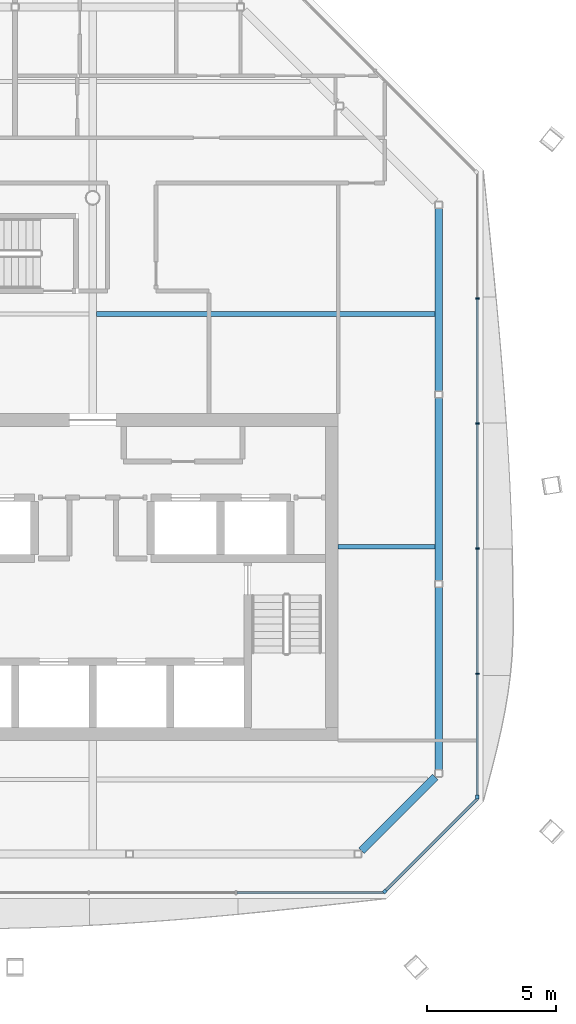
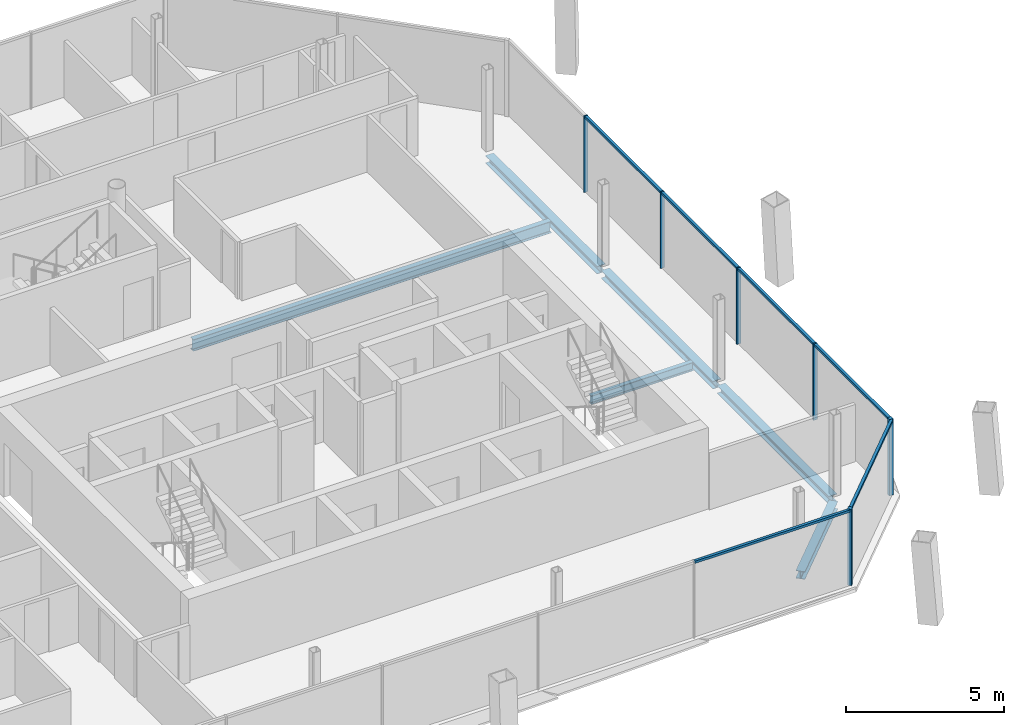
# One storey, part 6 of 15: 12 members, 6 beams, 3 elements without a shape of their own.
"""IFC4 building model written with IfcOpenShell, lengths in metres."""

from ifc_helpers import new_model, si_unit, direction, frame, origin, origin_2d, place, context, subcontext, project, spatial, rectangle, i_section, extrude, material, material_profile, profile_set, type_object, element, aggregate, save


model = new_model("IFC4")

# Units and contexts
model_context = context("Model", 3, precision=1e-05, world=origin(), true_north=direction((0.0, 1.0)))
body_context = subcontext(model_context, "Body", "Model", "MODEL_VIEW")
ifc_project = project(units=[si_unit("LENGTHUNIT", "METRE"), si_unit("AREAUNIT", "SQUARE_METRE"), si_unit("VOLUMEUNIT", "CUBIC_METRE"), si_unit("PLANEANGLEUNIT", "RADIAN"), si_unit("MASSUNIT", "GRAM", prefix="KILO")], contexts=[model_context])

# Site, building, storey
site_placement = place(None, origin())
site = spatial("IfcSite", under=ifc_project, at=site_placement, CompositionType="ELEMENT")
building_placement = place(site_placement, origin())
building = spatial("IfcBuilding", under=site, at=building_placement, Name="Tskaro Facet Tower", CompositionType="ELEMENT")
storey_placement = place(building_placement, frame((0.0, 0.0, 239.25)))
storey = spatial("IfcBuildingStorey", under=building, at=storey_placement, Name="L62", CompositionType="ELEMENT", Elevation=239.25)

# Curtain wall, member
ifc_material_1 = material(Name="Bronze anodised aluminium 6063-T6", Category="aluminium")
curtain_wall_type = type_object("IfcCurtainWallType", Name="Bronze residence curtain wall (FW3)", PredefinedType="NOTDEFINED", material=ifc_material_1)
curtain_wall_1_placement = place(storey_placement, origin())
curtain_wall_1 = element("IfcCurtainWall", 1, at=curtain_wall_1_placement, inside=storey, type_object=curtain_wall_type, Name="FW3 south-east facet L62", PredefinedType="NOTDEFINED")
ifc_material_profile_1 = material_profile(ifc_material_1, rectangle(XDim=0.139892578125, YDim=0.139892578125, at=origin_2d()), Name="Corner post 140x140")
ifc_profile_set_1 = profile_set([ifc_material_profile_1], Name="Bronze anodised aluminium 6063-T6")
member_type_1 = type_object("IfcMemberType", Name="FW3 bronze corner post 140x140", PredefinedType="MULLION", material=ifc_profile_set_1)
member_1_placement = place(storey_placement, frame((11.302490234375, -17.839599609375, 0.0), z_axis=(0.0, 0.0, 1.0), x_axis=(0.707106781187, 0.707106781187, 0.0)))
member_1 = element("IfcMember", 2, at=member_1_placement, type_object=member_type_1, Name="FW3 south-east corner post", PredefinedType="MULLION", context=body_context, shape_type="SweptSolid", body=[
    extrude(rectangle(XDim=0.139892578125, YDim=0.139892578125, at=origin_2d()), origin(), (0.0, 0.0, 1.0), 2.949951171875),
])

# Curtain wall, members
curtain_wall_2_placement = place(storey_placement, origin())
curtain_wall_2 = element("IfcCurtainWall", 3, at=curtain_wall_2_placement, inside=storey, type_object=curtain_wall_type, Name="FW3 east facet L62", PredefinedType="NOTDEFINED")
member_2_placement = place(storey_placement, frame((14.888916015625, -14.18310546875, 0.0), z_axis=(0.0, 0.0, 1.0), x_axis=(0.0, 1.0, 0.0)))
member_2 = element("IfcMember", 4, at=member_2_placement, type_object=member_type_1, Name="FW3 east corner post", PredefinedType="MULLION", context=body_context, shape_type="SweptSolid", body=[
    extrude(rectangle(XDim=0.139892578125, YDim=0.139892578125, at=origin_2d()), origin(), (0.0, 0.0, 1.0), 2.949951171875),
])
ifc_material_profile_2 = material_profile(ifc_material_1, rectangle(XDim=0.050048828125, YDim=0.139892578125, at=origin_2d()), Name="Mullion 50x140")
ifc_profile_set_2 = profile_set([ifc_material_profile_2], Name="Bronze anodised aluminium 6063-T6")
member_type_2 = type_object("IfcMemberType", Name="FW3 bronze mullion 50x140", PredefinedType="MULLION", material=ifc_profile_set_2)
member_3_placement = place(storey_placement, frame((14.888916015625, -9.412841796875, 0.0), z_axis=(0.0, 0.0, 1.0), x_axis=(0.0, 1.0, 0.0)))
member_3 = element("IfcMember", 5, at=member_3_placement, type_object=member_type_2, Name="FW3 east mullion 1", PredefinedType="MULLION", context=body_context, shape_type="SweptSolid", body=[
    extrude(rectangle(XDim=0.050048828125, YDim=0.139892578125, at=origin_2d()), origin(), (0.0, 0.0, 1.0), 2.949951171875),
])
member_4_placement = place(storey_placement, frame((14.888916015625, -4.572509765625, 0.0), z_axis=(0.0, 0.0, 1.0), x_axis=(0.0, 1.0, 0.0)))
member_4 = element("IfcMember", 6, at=member_4_placement, type_object=member_type_2, Name="FW3 east mullion 2", PredefinedType="MULLION", context=body_context, shape_type="SweptSolid", body=[
    extrude(rectangle(XDim=0.050048828125, YDim=0.139892578125, at=origin_2d()), origin(), (0.0, 0.0, 1.0), 2.949951171875),
])
member_5_placement = place(storey_placement, frame((14.888916015625, 0.267578125, 0.0), z_axis=(0.0, 0.0, 1.0), x_axis=(0.0, 1.0, 0.0)))
member_5 = element("IfcMember", 7, at=member_5_placement, type_object=member_type_2, Name="FW3 east mullion 3", PredefinedType="MULLION", context=body_context, shape_type="SweptSolid", body=[
    extrude(rectangle(XDim=0.050048828125, YDim=0.139892578125, at=origin_2d()), origin(), (0.0, 0.0, 1.0), 2.949951171875),
])
member_6_placement = place(storey_placement, frame((14.888916015625, 5.10791015625, 0.0), z_axis=(0.0, 0.0, 1.0), x_axis=(0.0, 1.0, 0.0)))
member_6 = element("IfcMember", 8, at=member_6_placement, type_object=member_type_2, Name="FW3 east mullion 4", PredefinedType="MULLION", context=body_context, shape_type="SweptSolid", body=[
    extrude(rectangle(XDim=0.050048828125, YDim=0.139892578125, at=origin_2d()), origin(), (0.0, 0.0, 1.0), 2.949951171875),
])

# Curtain wall, member
curtain_wall_3_placement = place(storey_placement, origin())
curtain_wall_3 = element("IfcCurtainWall", 9, at=curtain_wall_3_placement, inside=storey, type_object=curtain_wall_type, Name="FW3 south facet L62", PredefinedType="NOTDEFINED")
ifc_material_profile_3 = material_profile(ifc_material_1, rectangle(XDim=0.10009765625, YDim=0.090087890625, at=origin_2d()), Name="Transom 100x90")
ifc_profile_set_3 = profile_set([ifc_material_profile_3], Name="Bronze anodised aluminium 6063-T6")
member_type_3 = type_object("IfcMemberType", Name="FW3 bronze transom 100x90", PredefinedType="USERDEFINED", material=ifc_profile_set_3)
member_7_placement = place(storey_placement, frame((5.576904296875, -17.888916015625, 2.905029296875), z_axis=(1.0, 0.0, 0.0), x_axis=(0.0, 1.0, 0.0)))
member_7 = element("IfcMember", 10, at=member_7_placement, type_object=member_type_3, Name="FW3 south transom 5.1", ObjectType="TRANSOM", PredefinedType="USERDEFINED", context=body_context, shape_type="SweptSolid", body=[
    extrude(rectangle(XDim=0.10009765625, YDim=0.090087890625, at=origin_2d()), origin(), (0.0, 0.0, 1.0), 5.676025390625),
])
aggregate(curtain_wall_3, [member_7])

# Member
member_8_placement = place(storey_placement, frame((11.35205078125, -17.7900390625, 2.905029296875), z_axis=(0.707082376735, 0.707131184796, 0.0), x_axis=(-0.707131184796, 0.707082376735, 0.0)))
member_8 = element("IfcMember", 11, at=member_8_placement, type_object=member_type_3, Name="FW3 south-east transom 1.1", ObjectType="TRANSOM", PredefinedType="USERDEFINED", context=body_context, shape_type="SweptSolid", body=[
    extrude(rectangle(XDim=0.10009765625, YDim=0.090087890625, at=origin_2d()), origin(), (0.0, 0.0, 1.0), 5.001953125),
])

aggregate(curtain_wall_1, [member_1, member_8])

member_9_placement = place(storey_placement, frame((14.888916015625, -14.113037109375, 2.905029296875), z_axis=(0.0, 1.0, 0.0), x_axis=(-1.0, 0.0, 0.0)))
member_9 = element("IfcMember", 12, at=member_9_placement, type_object=member_type_3, Name="FW3 east transom 1.1", ObjectType="TRANSOM", PredefinedType="USERDEFINED", context=body_context, shape_type="SweptSolid", body=[
    extrude(rectangle(XDim=0.10009765625, YDim=0.090087890625, at=origin_2d()), origin(), (0.0, 0.0, 1.0), 4.67529296875),
])

member_10_placement = place(storey_placement, frame((14.888916015625, -9.3876953125, 2.905029296875), z_axis=(0.0, 1.0, 0.0), x_axis=(-1.0, 0.0, 0.0)))
member_10 = element("IfcMember", 13, at=member_10_placement, type_object=member_type_3, Name="FW3 east transom 2.1", ObjectType="TRANSOM", PredefinedType="USERDEFINED", context=body_context, shape_type="SweptSolid", body=[
    extrude(rectangle(XDim=0.10009765625, YDim=0.090087890625, at=origin_2d()), origin(), (0.0, 0.0, 1.0), 4.7900390625),
])

member_11_placement = place(storey_placement, frame((14.888916015625, -4.547607421875, 2.905029296875), z_axis=(0.0, 1.0, 0.0), x_axis=(-1.0, 0.0, 0.0)))
member_11 = element("IfcMember", 14, at=member_11_placement, type_object=member_type_3, Name="FW3 east transom 3.1", ObjectType="TRANSOM", PredefinedType="USERDEFINED", context=body_context, shape_type="SweptSolid", body=[
    extrude(rectangle(XDim=0.10009765625, YDim=0.090087890625, at=origin_2d()), origin(), (0.0, 0.0, 1.0), 4.790283203125),
])

member_12_placement = place(storey_placement, frame((14.888916015625, 0.29248046875, 2.905029296875), z_axis=(0.0, 1.0, 0.0), x_axis=(-1.0, 0.0, 0.0)))
member_12 = element("IfcMember", 15, at=member_12_placement, type_object=member_type_3, Name="FW3 east transom 4.1", ObjectType="TRANSOM", PredefinedType="USERDEFINED", context=body_context, shape_type="SweptSolid", body=[
    extrude(rectangle(XDim=0.10009765625, YDim=0.090087890625, at=origin_2d()), origin(), (0.0, 0.0, 1.0), 4.790283203125),
])

aggregate(curtain_wall_2, [member_2, member_3, member_4, member_5, member_6, member_9, member_10, member_11, member_12])

# Beams
ifc_material_2 = material(Name="Steel S355J2", Category="steel")
ifc_material_profile_4 = material_profile(ifc_material_2, i_section(OverallWidth=0.300048828125, OverallDepth=0.300048828125, WebThickness=0.010986328125, FlangeThickness=0.01904296875, FilletRadius=0.027099609375, at=origin_2d()), Name="HE 300 B")
ifc_profile_set_4 = profile_set([ifc_material_profile_4], Name="Steel S355J2")
beam_type_1 = type_object("IfcBeamType", Name="HE 300 B ring beam", PredefinedType="BEAM", material=ifc_profile_set_4)
beam_1_placement = place(storey_placement, frame((10.40380859375, -16.255126953125, -0.2900390625), z_axis=(0.707106781187, 0.707106781187, 0.0), x_axis=(-0.707106781187, 0.707106781187, 0.0)))
element("IfcBeam", 16, at=beam_1_placement, inside=storey, type_object=beam_type_1, Name="HE 300 B EB4-5", PredefinedType="BEAM", context=body_context, shape_type="SweptSolid", body=[
    extrude(i_section(OverallWidth=0.300048828125, OverallDepth=0.300048828125, WebThickness=0.010986328125, FlangeThickness=0.01904296875, FilletRadius=0.027099609375, at=origin_2d()), origin(), (0.0, 0.0, 1.0), 4.032470703125),
])
beam_2_placement = place(storey_placement, frame((13.39111328125, -13.137939453125, -0.2900390625), z_axis=(0.0, 1.0, 0.0), x_axis=(-1.0, 0.0, 0.0)))
element("IfcBeam", 17, at=beam_2_placement, inside=storey, type_object=beam_type_1, Name="HE 300 B EB5-5", PredefinedType="BEAM", context=body_context, shape_type="SweptSolid", body=[
    extrude(i_section(OverallWidth=0.300048828125, OverallDepth=0.300048828125, WebThickness=0.010986328125, FlangeThickness=0.01904296875, FilletRadius=0.027099609375, at=origin_2d()), origin(), (0.0, 0.0, 1.0), 7.071044921875),
])
beam_3_placement = place(storey_placement, frame((13.39111328125, -5.806884765625, -0.2900390625), z_axis=(0.0, 1.0, 0.0), x_axis=(-1.0, 0.0, 0.0)))
element("IfcBeam", 18, at=beam_3_placement, inside=storey, type_object=beam_type_1, Name="HE 300 B EB6-5", PredefinedType="BEAM", context=body_context, shape_type="SweptSolid", body=[
    extrude(i_section(OverallWidth=0.300048828125, OverallDepth=0.300048828125, WebThickness=0.010986328125, FlangeThickness=0.01904296875, FilletRadius=0.027099609375, at=origin_2d()), origin(), (0.0, 0.0, 1.0), 7.07080078125),
])
beam_4_placement = place(storey_placement, frame((13.39111328125, 1.52392578125, -0.2900390625), z_axis=(0.0, 1.0, 0.0), x_axis=(-1.0, 0.0, 0.0)))
element("IfcBeam", 19, at=beam_4_placement, inside=storey, type_object=beam_type_1, Name="HE 300 B EB7-5", PredefinedType="BEAM", context=body_context, shape_type="SweptSolid", body=[
    extrude(i_section(OverallWidth=0.300048828125, OverallDepth=0.300048828125, WebThickness=0.010986328125, FlangeThickness=0.01904296875, FilletRadius=0.027099609375, at=origin_2d()), origin(), (0.0, 0.0, 1.0), 7.071044921875),
])
ifc_material_profile_5 = material_profile(ifc_material_2, i_section(OverallWidth=0.159912109375, OverallDepth=0.330078125, WebThickness=0.007568359375, FlangeThickness=0.011474609375, FilletRadius=0.01806640625, at=origin_2d()), Name="IPE 330")
ifc_profile_set_5 = profile_set([ifc_material_profile_5], Name="Steel S355J2")
beam_type_2 = type_object("IfcBeamType", Name="IPE 330 secondary beam", PredefinedType="BEAM", material=ifc_profile_set_5)
beam_5_placement = place(storey_placement, frame((9.5, -4.5, -0.304931640625), z_axis=(1.0, 0.0, 0.0), x_axis=(0.0, 1.0, 0.0)))
element("IfcBeam", 20, at=beam_5_placement, inside=storey, type_object=beam_type_2, Name="IPE 330 SB3a-2-5", PredefinedType="BEAM", context=body_context, shape_type="SweptSolid", body=[
    extrude(i_section(OverallWidth=0.159912109375, OverallDepth=0.330078125, WebThickness=0.007568359375, FlangeThickness=0.011474609375, FilletRadius=0.01806640625, at=origin_2d()), origin(), (0.0, 0.0, 1.0), 3.740966796875),
])
ifc_material_profile_6 = material_profile(ifc_material_2, i_section(OverallWidth=0.18994140625, OverallDepth=0.449951171875, WebThickness=0.009521484375, FlangeThickness=0.0146484375, FilletRadius=0.02099609375, at=origin_2d()), Name="IPE 450")
ifc_profile_set_6 = profile_set([ifc_material_profile_6], Name="Steel S355J2")
beam_type_3 = type_object("IfcBeamType", Name="IPE 450 long secondary beam", PredefinedType="BEAM", material=ifc_profile_set_6)
beam_6_placement = place(storey_placement, frame((0.14990234375, 4.5, -0.364990234375), z_axis=(1.0, 0.0, 0.0), x_axis=(0.0, 1.0, 0.0)))
element("IfcBeam", 21, at=beam_6_placement, inside=storey, type_object=beam_type_3, Name="IPE 450 LSB4a-3-5", PredefinedType="BEAM", context=body_context, shape_type="SweptSolid", body=[
    extrude(i_section(OverallWidth=0.18994140625, OverallDepth=0.449951171875, WebThickness=0.009521484375, FlangeThickness=0.0146484375, FilletRadius=0.02099609375, at=origin_2d()), origin(), (0.0, 0.0, 1.0), 13.091064453125),
])

save(model, "model.ifc")
